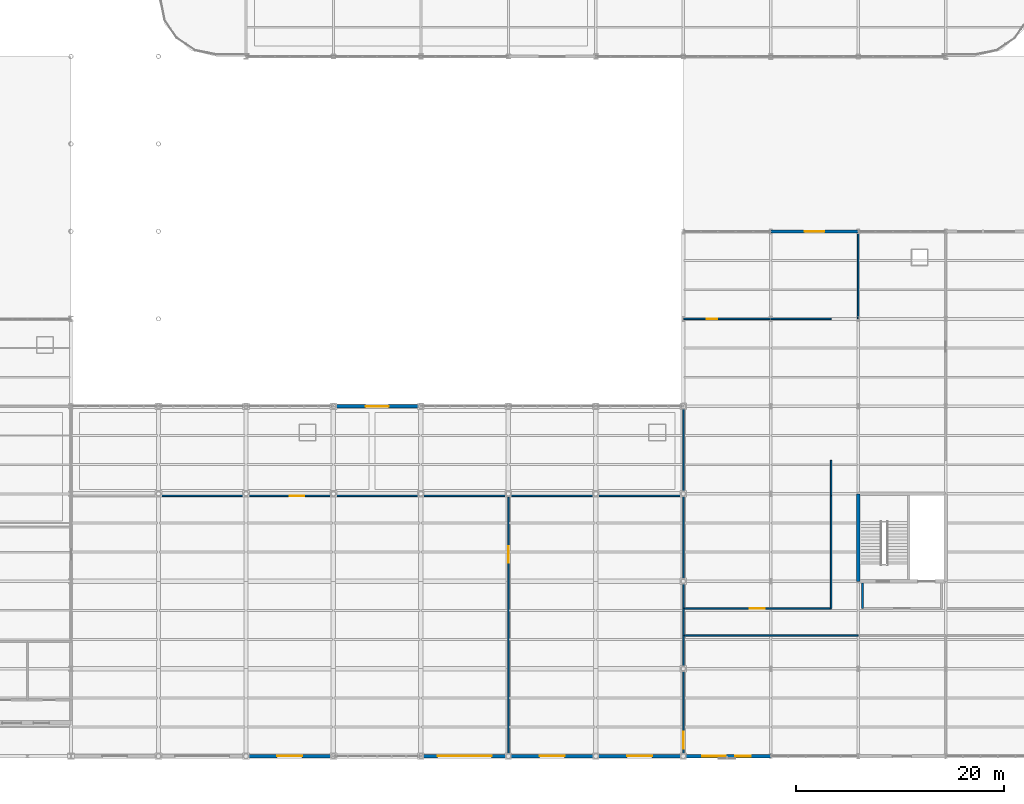
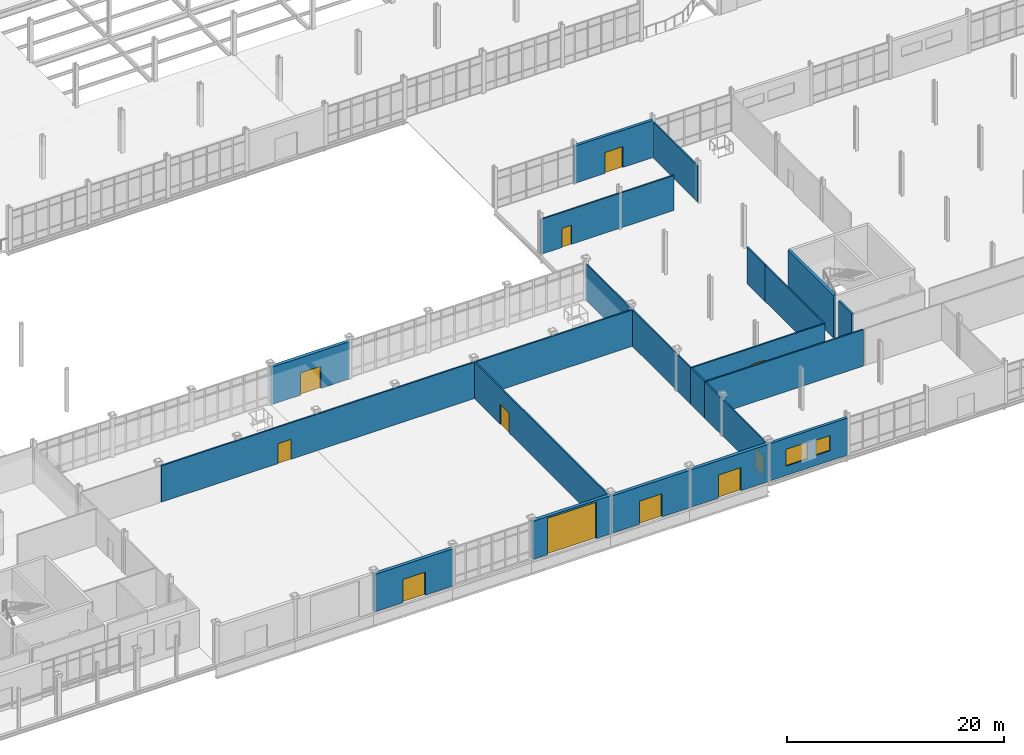
# One storey, part 126 of 145: 22 walls, 11 doors, 2 windows, 13 openings.
"""IFC4 building model written with IfcOpenShell, lengths in metres."""

from ifc_helpers import new_model, si_unit, direction, frame, frame_2d, origin, place, context, subcontext, project, spatial, rectangle, extrude, material, layer, layer_set, type_object, element, fill, save


model = new_model("IFC4")

# Units and contexts
model_context = context("Model", 3, precision=1e-05, world=origin(), true_north=direction((0.0, 1.0)))
body_context = subcontext(model_context, "Body", "Model", "MODEL_VIEW")
ifc_project = project(units=[si_unit("LENGTHUNIT", "METRE"), si_unit("AREAUNIT", "SQUARE_METRE"), si_unit("VOLUMEUNIT", "CUBIC_METRE"), si_unit("PLANEANGLEUNIT", "RADIAN"), si_unit("MASSUNIT", "GRAM", prefix="KILO")], contexts=[model_context])

# Site, building, storey
site_placement = place(None, origin())
site = spatial("IfcSite", under=ifc_project, at=site_placement, CompositionType="ELEMENT")
building_placement = place(site_placement, origin())
building = spatial("IfcBuilding", under=site, at=building_placement, Name="Qalvenar Corner Mobility Hub", CompositionType="ELEMENT")
storey_placement = place(building_placement, origin())
storey = spatial("IfcBuildingStorey", under=building, at=storey_placement, Name="L00", CompositionType="ELEMENT", Elevation=0.0)

# Wall
ifc_material_1 = material(Name="Concrete C40/50", Category="concrete")
ifc_layer_1 = layer(ifc_material_1, 0.300048828125)
ifc_layer_set_1 = layer_set([ifc_layer_1], Name="Concrete C40/50")
wall_type_1 = type_object("IfcWallType", Name="WL-CORE300", PredefinedType="SHEAR", material=ifc_layer_set_1)
wall_1_placement = place(storey_placement, frame((126.0, 25.199951171875, 0.0), z_axis=(0.0, 0.0, 1.0), x_axis=(0.0, -1.0, 0.0)))
element("IfcWall", 1, at=wall_1_placement, inside=storey, type_object=wall_type_1, Name="Core Shear Wall C6-L00-W", PredefinedType="SHEAR", context=body_context, shape_type="SweptSolid", body=[
    extrude(rectangle(XDim=8.39990234375, YDim=0.300048828125, at=frame_2d((4.199951171875, 0.0))), origin(), (0.0, 0.0, 1.0), 4.800048828125),
])

# Wall, openings, windows
ifc_material_2 = material(Name="Lahori Fired Clay Brick Masonry", Category="masonry")
ifc_layer_2 = layer(ifc_material_2, 0.300048828125)
ifc_layer_set_2 = layer_set([ifc_layer_2], Name="Lahori Fired Clay Brick Masonry")
wall_type_2 = type_object("IfcWallType", Name="WL-EXT-BRK300", PredefinedType="STANDARD", material=ifc_layer_set_2)
wall_2_placement = place(storey_placement, frame((109.199951171875, 0.0, 0.0), z_axis=(0.0, 0.0, 1.0), x_axis=(1.0, 0.0, 0.0)))
wall_2 = element("IfcWall", 2, at=wall_2_placement, inside=storey, type_object=wall_type_2, Name="Exterior Facade Wall EW-V6-L00-S0", PredefinedType="STANDARD", context=body_context, shape_type="SweptSolid", body=[
    extrude(rectangle(XDim=8.400146484375, YDim=0.300048828125, at=frame_2d((4.2001953125, 0.0))), origin(), (0.0, 0.0, 1.0), 4.179931640625),
])
opening_1_placement = place(wall_2_placement, frame((1.800048828125, 0.0, 1.050048828125)))
opening_1 = element("IfcOpeningElement", 3, at=opening_1_placement, cuts=wall_2, Name="Opening W-16", PredefinedType="OPENING", context=body_context, shape_type="SweptSolid", body=[
    extrude(rectangle(XDim=2.300048828125, YDim=1.89990234375, at=frame_2d((1.14990234375, 0.949951171875))), frame((0.0, 0.16015625, 0.0), z_axis=(0.0, -1.0, 0.0), x_axis=(1.0, 0.0, 0.0)), (0.0, 0.0, 1.0), 0.320068359375),
])
opening_2_placement = place(wall_2_placement, frame((5.0, 0.0, 1.14990234375)))
opening_2 = element("IfcOpeningElement", 4, at=opening_2_placement, cuts=wall_2, Name="Opening W-18", PredefinedType="OPENING", context=body_context, shape_type="SweptSolid", body=[
    extrude(rectangle(XDim=1.5, YDim=1.699951171875, at=frame_2d((0.75, 0.85009765625))), frame((0.0, 0.16015625, 0.0), z_axis=(0.0, -1.0, 0.0), x_axis=(1.0, 0.0, 0.0)), (0.0, 0.0, 1.0), 0.320068359375),
])
ifc_material_3 = material(Name="Solar-Control Double-Glazed Bronze Window", Category="glass")
window_type_1 = type_object("IfcWindowType", Name="WN-WKS-150X170", PartitioningType="DOUBLE_PANEL_VERTICAL", PredefinedType="WINDOW", material=ifc_material_3)
window_1_placement = place(opening_2_placement, origin())
window_1 = element("IfcWindow", 5, at=window_1_placement, inside=storey, type_object=window_type_1, Name="Facade Window EW-V6-L00-S0-W2", OverallHeight=1.699951171875, OverallWidth=1.5, PartitioningType="SINGLE_PANEL", PredefinedType="WINDOW", context=body_context, shape_type="SweptSolid", body=[
    extrude(rectangle(XDim=1.5, YDim=1.699951171875, at=frame_2d((0.75, 0.85009765625))), frame((0.0, 0.030029296875, 0.0), z_axis=(0.0, -1.0, 0.0), x_axis=(1.0, 0.0, 0.0)), (0.0, 0.0, 1.0), 0.06005859375),
])
fill(opening_2, window_1)
window_type_2 = type_object("IfcWindowType", Name="WN-WKS-230X190", PartitioningType="DOUBLE_PANEL_HORIZONTAL", PredefinedType="WINDOW", material=ifc_material_3)
window_2_placement = place(opening_1_placement, origin())
window_2 = element("IfcWindow", 6, at=window_2_placement, inside=storey, type_object=window_type_2, Name="Facade Window EW-V6-L00-S0-W1", OverallHeight=1.89990234375, OverallWidth=2.300048828125, PartitioningType="SINGLE_PANEL", PredefinedType="WINDOW", context=body_context, shape_type="SweptSolid", body=[
    extrude(rectangle(XDim=2.300048828125, YDim=1.89990234375, at=frame_2d((1.14990234375, 0.949951171875))), frame((0.0, 0.030029296875, 0.0), z_axis=(0.0, -1.0, 0.0), x_axis=(1.0, 0.0, 0.0)), (0.0, 0.0, 1.0), 0.06005859375),
])
fill(opening_1, window_2)

# Wall, opening, door
wall_3_placement = place(storey_placement, frame((126.0, 50.39990234375, 0.0), z_axis=(0.0, 0.0, 1.0), x_axis=(-1.0, 0.0, 0.0)))
wall_3 = element("IfcWall", 7, at=wall_3_placement, inside=storey, type_object=wall_type_2, Name="Exterior Facade Wall EW-V6-L00-N1", PredefinedType="STANDARD", context=body_context, shape_type="SweptSolid", body=[
    extrude(rectangle(XDim=8.39990234375, YDim=0.300048828125, at=frame_2d((4.199951171875, 0.0))), origin(), (0.0, 0.0, 1.0), 4.179931640625),
])
opening_3_placement = place(wall_3_placement, frame((3.25, 0.0, 0.0)))
opening_3 = element("IfcOpeningElement", 8, at=opening_3_placement, cuts=wall_3, Name="Opening DR-064", PredefinedType="OPENING", context=body_context, shape_type="SweptSolid", body=[
    extrude(rectangle(XDim=1.89990234375, YDim=2.35009765625, at=frame_2d((0.949951171875, 1.175048828125))), frame((0.0, 0.16015625, 0.0), z_axis=(0.0, -1.0, 0.0), x_axis=(1.0, 0.0, 0.0)), (0.0, 0.0, 1.0), 0.320068359375),
])
ifc_material_4 = material(Name="Insulated Steel Apron Exit Door", Category="steel")
door_type_1 = type_object("IfcDoorType", Name="DR-EXT-ESC190", OperationType="DOUBLE_DOOR_SINGLE_SWING", PredefinedType="DOOR", material=ifc_material_4)
door_1_placement = place(opening_3_placement, origin())
door_1 = element("IfcDoor", 9, at=door_1_placement, inside=storey, type_object=door_type_1, Name="DR-064 Workshop Apron Pedestrian Exit Door E12", OperationType="DOUBLE_DOOR_SINGLE_SWING", OverallHeight=2.35009765625, OverallWidth=1.89990234375, PredefinedType="DOOR", context=body_context, shape_type="SweptSolid", body=[
    extrude(rectangle(XDim=1.89990234375, YDim=2.35009765625, at=frame_2d((0.949951171875, 1.175048828125))), frame((0.0, 0.02490234375, 0.0), z_axis=(0.0, -1.0, 0.0), x_axis=(1.0, 0.0, 0.0)), (0.0, 0.0, 1.0), 0.050048828125),
])
fill(opening_3, door_1)

ifc_material_5 = material(Name="Red Sandstone Ashlar Masonry", Category="masonry")
ifc_layer_3 = layer(ifc_material_5, 0.360107421875)
ifc_layer_set_3 = layer_set([ifc_layer_3], Name="Red Sandstone Ashlar Masonry")
wall_type_3 = type_object("IfcWallType", Name="WL-EXT-SAND360", PredefinedType="STANDARD", material=ifc_layer_set_3)
wall_4_placement = place(storey_placement, frame((67.199951171875, 0.0, 0.0), z_axis=(0.0, 0.0, 1.0), x_axis=(1.0, 0.0, 0.0)))
wall_4 = element("IfcWall", 10, at=wall_4_placement, inside=storey, type_object=wall_type_3, Name="Exterior Facade Wall EW-V1-S-2", PredefinedType="STANDARD", context=body_context, shape_type="SweptSolid", body=[
    extrude(rectangle(XDim=8.400146484375, YDim=0.360107421875, at=frame_2d((4.2001953125, 0.0))), origin(), (0.0, 0.0, 1.0), 4.199951171875),
])
opening_4_placement = place(wall_4_placement, frame((3.0, 0.0, 0.0)))
opening_4 = element("IfcOpeningElement", 11, at=opening_4_placement, cuts=wall_4, Name="Opening DR-052", PredefinedType="OPENING", context=body_context, shape_type="SweptSolid", body=[
    extrude(rectangle(XDim=2.39990234375, YDim=2.60009765625, at=frame_2d((1.199951171875, 1.300048828125))), frame((0.0, 0.18994140625, 0.0), z_axis=(0.0, -1.0, 0.0), x_axis=(1.0, 0.0, 0.0)), (0.0, 0.0, 1.0), 0.380126953125),
])
ifc_material_6 = material(Name="Bronze-Framed Glazed Entrance Door", Category="aluminium")
door_type_2 = type_object("IfcDoorType", Name="DR-EXT-DBL240", OperationType="DOUBLE_DOOR_SINGLE_SWING", PredefinedType="DOOR", material=ifc_material_6)
door_2_placement = place(opening_4_placement, origin())
door_2 = element("IfcDoor", 12, at=door_2_placement, inside=storey, type_object=door_type_2, Name="DR-052 Concourse Pedestrian Exit Door E13", OperationType="DOUBLE_DOOR_SINGLE_SWING", OverallHeight=2.60009765625, OverallWidth=2.39990234375, PredefinedType="DOOR", context=body_context, shape_type="SweptSolid", body=[
    extrude(rectangle(XDim=2.39990234375, YDim=2.60009765625, at=frame_2d((1.199951171875, 1.300048828125))), frame((0.0, 0.02490234375, 0.0), z_axis=(0.0, -1.0, 0.0), x_axis=(1.0, 0.0, 0.0)), (0.0, 0.0, 1.0), 0.050048828125),
])
fill(opening_4, door_2)

wall_5_placement = place(storey_placement, frame((84.0, 33.60009765625, 0.0), z_axis=(0.0, 0.0, 1.0), x_axis=(-1.0, 0.0, 0.0)))
wall_5 = element("IfcWall", 13, at=wall_5_placement, inside=storey, type_object=wall_type_3, Name="Exterior Facade Wall EW-V1-N-3", PredefinedType="STANDARD", context=body_context, shape_type="SweptSolid", body=[
    extrude(rectangle(XDim=8.39990234375, YDim=0.360107421875, at=frame_2d((4.199951171875, 0.0))), origin(), (0.0, 0.0, 1.0), 4.199951171875),
])
opening_5_placement = place(wall_5_placement, frame((3.10009765625, 0.0, 0.0)))
opening_5 = element("IfcOpeningElement", 14, at=opening_5_placement, cuts=wall_5, Name="Opening DR-053", PredefinedType="OPENING", context=body_context, shape_type="SweptSolid", body=[
    extrude(rectangle(XDim=2.199951171875, YDim=2.5, at=frame_2d((1.10009765625, 1.25))), frame((0.0, 0.18994140625, 0.0), z_axis=(0.0, -1.0, 0.0), x_axis=(1.0, 0.0, 0.0)), (0.0, 0.0, 1.0), 0.380126953125),
])
ifc_material_7 = material(Name="Bronze-Framed Courtyard Exit Door", Category="aluminium")
door_type_3 = type_object("IfcDoorType", Name="DR-EXT-DBL220", OperationType="DOUBLE_DOOR_SINGLE_SWING", PredefinedType="DOOR", material=ifc_material_7)
door_3_placement = place(opening_5_placement, origin())
door_3 = element("IfcDoor", 15, at=door_3_placement, inside=storey, type_object=door_type_3, Name="DR-053 Courtyard Concourse Exit Door E7", OperationType="DOUBLE_DOOR_SINGLE_SWING", OverallHeight=2.5, OverallWidth=2.199951171875, PredefinedType="DOOR", context=body_context, shape_type="SweptSolid", body=[
    extrude(rectangle(XDim=2.199951171875, YDim=2.5, at=frame_2d((1.10009765625, 1.25))), frame((0.0, 0.02490234375, 0.0), z_axis=(0.0, -1.0, 0.0), x_axis=(1.0, 0.0, 0.0)), (0.0, 0.0, 1.0), 0.050048828125),
])
fill(opening_5, door_3)

wall_6_placement = place(storey_placement, frame((84.0, 0.0, 0.0), z_axis=(0.0, 0.0, 1.0), x_axis=(1.0, 0.0, 0.0)))
wall_6 = element("IfcWall", 16, at=wall_6_placement, inside=storey, type_object=wall_type_3, Name="Exterior Facade Wall EW-V1-S-4", PredefinedType="STANDARD", context=body_context, shape_type="SweptSolid", body=[
    extrude(rectangle(XDim=8.39990234375, YDim=0.360107421875, at=frame_2d((4.199951171875, 0.0))), origin(), (0.0, 0.0, 1.0), 4.300048828125),
])
opening_6_placement = place(wall_6_placement, frame((1.60009765625, 0.0, 0.0)))
opening_6 = element("IfcOpeningElement", 17, at=opening_6_placement, cuts=wall_6, Name="Opening DR-054", PredefinedType="OPENING", context=body_context, shape_type="SweptSolid", body=[
    extrude(rectangle(XDim=5.199951171875, YDim=4.10009765625, at=frame_2d((2.60009765625, 2.050048828125))), frame((0.0, 0.18994140625, 0.0), z_axis=(0.0, -1.0, 0.0), x_axis=(1.0, 0.0, 0.0)), (0.0, 0.0, 1.0), 0.380126953125),
])
ifc_material_8 = material(Name="Heavy-Duty Bus Bay Security Shutter Gate", Category="steel")
door_type_4 = type_object("IfcDoorType", Name="GT-BUS-520", OperationType="ROLLINGUP", PredefinedType="GATE", material=ifc_material_8)
door_4_placement = place(opening_6_placement, origin())
door_4 = element("IfcDoor", 18, at=door_4_placement, inside=storey, type_object=door_type_4, Name="DR-054 Bus Apron Portal Gate VG3-4", OperationType="ROLLINGUP", OverallHeight=4.10009765625, OverallWidth=5.199951171875, PredefinedType="GATE", context=body_context, shape_type="SweptSolid", body=[
    extrude(rectangle(XDim=5.199951171875, YDim=4.10009765625, at=frame_2d((2.60009765625, 2.050048828125))), frame((0.0, 0.02490234375, 0.0), z_axis=(0.0, -1.0, 0.0), x_axis=(1.0, 0.0, 0.0)), (0.0, 0.0, 1.0), 0.050048828125),
])
fill(opening_6, door_4)

wall_7_placement = place(storey_placement, frame((92.39990234375, 0.0, 0.0), z_axis=(0.0, 0.0, 1.0), x_axis=(1.0, 0.0, 0.0)))
wall_7 = element("IfcWall", 19, at=wall_7_placement, inside=storey, type_object=wall_type_3, Name="Exterior Facade Wall EW-V1-S-5", PredefinedType="STANDARD", context=body_context, shape_type="SweptSolid", body=[
    extrude(rectangle(XDim=8.400146484375, YDim=0.360107421875, at=frame_2d((4.2001953125, 0.0))), origin(), (0.0, 0.0, 1.0), 4.199951171875),
])
opening_7_placement = place(wall_7_placement, frame((3.0, 0.0, 0.0)))
opening_7 = element("IfcOpeningElement", 20, at=opening_7_placement, cuts=wall_7, Name="Opening DR-055", PredefinedType="OPENING", context=body_context, shape_type="SweptSolid", body=[
    extrude(rectangle(XDim=2.39990234375, YDim=2.60009765625, at=frame_2d((1.199951171875, 1.300048828125))), frame((0.0, 0.18994140625, 0.0), z_axis=(0.0, -1.0, 0.0), x_axis=(1.0, 0.0, 0.0)), (0.0, 0.0, 1.0), 0.380126953125),
])
door_5_placement = place(opening_7_placement, origin())
door_5 = element("IfcDoor", 21, at=door_5_placement, inside=storey, type_object=door_type_2, Name="DR-055 Concourse Pedestrian Exit Door E14", OperationType="DOUBLE_DOOR_SINGLE_SWING", OverallHeight=2.60009765625, OverallWidth=2.39990234375, PredefinedType="DOOR", context=body_context, shape_type="SweptSolid", body=[
    extrude(rectangle(XDim=2.39990234375, YDim=2.60009765625, at=frame_2d((1.199951171875, 1.300048828125))), frame((0.0, 0.02490234375, 0.0), z_axis=(0.0, -1.0, 0.0), x_axis=(1.0, 0.0, 0.0)), (0.0, 0.0, 1.0), 0.050048828125),
])
fill(opening_7, door_5)

wall_8_placement = place(storey_placement, frame((100.800048828125, 0.0, 0.0), z_axis=(0.0, 0.0, 1.0), x_axis=(1.0, 0.0, 0.0)))
wall_8 = element("IfcWall", 22, at=wall_8_placement, inside=storey, type_object=wall_type_3, Name="Exterior Facade Wall EW-V1-S-6", PredefinedType="STANDARD", context=body_context, shape_type="SweptSolid", body=[
    extrude(rectangle(XDim=8.39990234375, YDim=0.360107421875, at=frame_2d((4.199951171875, 0.0))), origin(), (0.0, 0.0, 1.0), 4.199951171875),
])
opening_8_placement = place(wall_8_placement, frame((3.0, 0.0, 0.0)))
opening_8 = element("IfcOpeningElement", 23, at=opening_8_placement, cuts=wall_8, Name="Opening DR-056", PredefinedType="OPENING", context=body_context, shape_type="SweptSolid", body=[
    extrude(rectangle(XDim=2.39990234375, YDim=2.60009765625, at=frame_2d((1.199951171875, 1.300048828125))), frame((0.0, 0.18994140625, 0.0), z_axis=(0.0, -1.0, 0.0), x_axis=(1.0, 0.0, 0.0)), (0.0, 0.0, 1.0), 0.380126953125),
])
door_6_placement = place(opening_8_placement, origin())
door_6 = element("IfcDoor", 24, at=door_6_placement, inside=storey, type_object=door_type_2, Name="DR-056 Concourse Pedestrian Exit Door E6", OperationType="DOUBLE_DOOR_SINGLE_SWING", OverallHeight=2.60009765625, OverallWidth=2.39990234375, PredefinedType="DOOR", context=body_context, shape_type="SweptSolid", body=[
    extrude(rectangle(XDim=2.39990234375, YDim=2.60009765625, at=frame_2d((1.199951171875, 1.300048828125))), frame((0.0, 0.02490234375, 0.0), z_axis=(0.0, -1.0, 0.0), x_axis=(1.0, 0.0, 0.0)), (0.0, 0.0, 1.0), 0.050048828125),
])
fill(opening_8, door_6)

ifc_material_9 = material(Name="Acoustic Gypsum Stud Partition", Category="masonry")
ifc_layer_4 = layer(ifc_material_9, 0.139892578125)
ifc_layer_set_4 = layer_set([ifc_layer_4], Name="Acoustic Gypsum Stud Partition")
wall_type_4 = type_object("IfcWallType", Name="WL-INT140", PredefinedType="PARTITIONING", material=ifc_layer_set_4)
wall_9_placement = place(storey_placement, frame((109.199951171875, 0.18505859375, 0.0), z_axis=(0.0, 0.0, 1.0), x_axis=(0.0, 1.0, 0.0)))
wall_9 = element("IfcWall", 25, at=wall_9_placement, inside=storey, type_object=wall_type_4, Name="Interior Partition PRT-L00-053", PredefinedType="PARTITIONING", context=body_context, shape_type="SweptSolid", body=[
    extrude(rectangle(XDim=11.4150390625, YDim=0.139892578125, at=frame_2d((5.70751953125, 0.0))), origin(), (0.0, 0.0, 1.0), 4.10009765625),
])
opening_9_placement = place(wall_9_placement, frame((0.550048828125, 0.0, 0.0)))
opening_9 = element("IfcOpeningElement", 26, at=opening_9_placement, cuts=wall_9, Name="Opening DR-111", PredefinedType="OPENING", context=body_context, shape_type="SweptSolid", body=[
    extrude(rectangle(XDim=1.60009765625, YDim=2.25, at=frame_2d((0.800048828125, 1.125))), frame((0.0, 0.080078125, 0.0), z_axis=(0.0, -1.0, 0.0), x_axis=(1.0, 0.0, 0.0)), (0.0, 0.0, 1.0), 0.159912109375),
])
ifc_material_10 = material(Name="Compartment Fire Door FD90", Category="steel")
door_type_5 = type_object("IfcDoorType", Name="DR-COMP-160", OperationType="DOUBLE_DOOR_SINGLE_SWING", PredefinedType="DOOR", material=ifc_material_10)
door_7_placement = place(opening_9_placement, origin())
door_7 = element("IfcDoor", 27, at=door_7_placement, inside=storey, type_object=door_type_5, Name="DR-111 Workshop Foreman and Testing Office Link Door", OperationType="DOUBLE_DOOR_SINGLE_SWING", OverallHeight=2.25, OverallWidth=1.60009765625, PredefinedType="DOOR", context=body_context, shape_type="SweptSolid", body=[
    extrude(rectangle(XDim=1.60009765625, YDim=2.25, at=frame_2d((0.800048828125, 1.125))), frame((0.0, 0.02490234375, 0.0), z_axis=(0.0, -1.0, 0.0), x_axis=(1.0, 0.0, 0.0)), (0.0, 0.0, 1.0), 0.050048828125),
])
fill(opening_9, door_7)

# Walls
wall_10_placement = place(storey_placement, frame((109.199951171875, 11.60009765625, 0.0), z_axis=(0.0, 0.0, 1.0), x_axis=(0.0, 1.0, 0.0)))
element("IfcWall", 28, at=wall_10_placement, inside=storey, type_object=wall_type_4, Name="Interior Partition PRT-L00-054", PredefinedType="PARTITIONING", context=body_context, shape_type="SweptSolid", body=[
    extrude(rectangle(XDim=2.599853515625, YDim=0.139892578125, at=frame_2d((1.2998046875, 0.0))), origin(), (0.0, 0.0, 1.0), 4.10009765625),
])
wall_11_placement = place(storey_placement, frame((109.199951171875, 14.199951171875, 0.0), z_axis=(0.0, 0.0, 1.0), x_axis=(0.0, 1.0, 0.0)))
element("IfcWall", 29, at=wall_11_placement, inside=storey, type_object=wall_type_4, Name="Interior Partition PRT-L00-055", PredefinedType="PARTITIONING", context=body_context, shape_type="SweptSolid", body=[
    extrude(rectangle(XDim=10.800048828125, YDim=0.139892578125, at=frame_2d((5.39990234375, 0.0))), origin(), (0.0, 0.0, 1.0), 4.10009765625),
])
wall_12_placement = place(storey_placement, frame((109.199951171875, 25.050048828125, 0.0), z_axis=(0.0, 0.0, 1.0), x_axis=(0.0, 1.0, 0.0)))
element("IfcWall", 30, at=wall_12_placement, inside=storey, type_object=wall_type_4, Name="Interior Partition PRT-L00-056", PredefinedType="PARTITIONING", context=body_context, shape_type="SweptSolid", body=[
    extrude(rectangle(XDim=8.5048828125, YDim=0.139892578125, at=frame_2d((4.25244140625, 0.0))), origin(), (0.0, 0.0, 1.0), 4.10009765625),
])
wall_13_placement = place(storey_placement, frame((123.39990234375, 14.199951171875, 0.0), z_axis=(0.0, 0.0, 1.0), x_axis=(0.0, 1.0, 0.0)))
element("IfcWall", 31, at=wall_13_placement, inside=storey, type_object=wall_type_4, Name="Interior Partition PRT-L00-057", PredefinedType="PARTITIONING", context=body_context, shape_type="SweptSolid", body=[
    extrude(rectangle(XDim=10.800048828125, YDim=0.139892578125, at=frame_2d((5.39990234375, 0.0))), origin(), (0.0, 0.0, 1.0), 4.10009765625),
])
wall_14_placement = place(storey_placement, frame((123.39990234375, 25.050048828125, 0.0), z_axis=(0.0, 0.0, 1.0), x_axis=(0.0, 1.0, 0.0)))
element("IfcWall", 32, at=wall_14_placement, inside=storey, type_object=wall_type_4, Name="Interior Partition PRT-L00-058", PredefinedType="PARTITIONING", context=body_context, shape_type="SweptSolid", body=[
    extrude(rectangle(XDim=3.349853515625, YDim=0.139892578125, at=frame_2d((1.6748046875, 0.0))), origin(), (0.0, 0.0, 1.0), 4.10009765625),
])
wall_15_placement = place(storey_placement, frame((126.0, 42.0, 0.0), z_axis=(0.0, 0.0, 1.0), x_axis=(0.0, 1.0, 0.0)))
element("IfcWall", 33, at=wall_15_placement, inside=storey, type_object=wall_type_4, Name="Interior Partition PRT-L00-059", PredefinedType="PARTITIONING", context=body_context, shape_type="SweptSolid", body=[
    extrude(rectangle(XDim=8.2451171875, YDim=0.139892578125, at=frame_2d((4.12255859375, 0.0))), origin(), (0.0, 0.0, 1.0), 4.050048828125),
])
ifc_material_11 = material(Name="Plastered Clay Brick Partition", Category="masonry")
ifc_layer_5 = layer(ifc_material_11, 0.159912109375)
ifc_layer_set_5 = layer_set([ifc_layer_5], Name="Plastered Clay Brick Partition")
wall_type_5 = type_object("IfcWallType", Name="WL-INT160", PredefinedType="PARTITIONING", material=ifc_layer_set_5)
wall_16_placement = place(storey_placement, frame((109.199951171875, 11.60009765625, 0.0), z_axis=(0.0, 0.0, 1.0), x_axis=(1.0, 0.0, 0.0)))
element("IfcWall", 34, at=wall_16_placement, inside=storey, type_object=wall_type_5, Name="Interior Partition PRT-L00-007", PredefinedType="PARTITIONING", context=body_context, shape_type="SweptSolid", body=[
    extrude(rectangle(XDim=16.800048828125, YDim=0.159912109375, at=frame_2d((8.39990234375, 0.0))), origin(), (0.0, 0.0, 1.0), 4.10009765625),
])

# Wall, opening, door
wall_17_placement = place(storey_placement, frame((109.199951171875, 14.199951171875, 0.0), z_axis=(0.0, 0.0, 1.0), x_axis=(1.0, 0.0, 0.0)))
wall_17 = element("IfcWall", 35, at=wall_17_placement, inside=storey, type_object=wall_type_5, Name="Interior Partition PRT-L00-012", PredefinedType="PARTITIONING", context=body_context, shape_type="SweptSolid", body=[
    extrude(rectangle(XDim=14.199951171875, YDim=0.159912109375, at=frame_2d((7.10009765625, 0.0))), origin(), (0.0, 0.0, 1.0), 4.10009765625),
])
opening_10_placement = place(wall_17_placement, frame((6.39990234375, 0.0, 0.0)))
opening_10 = element("IfcOpeningElement", 36, at=opening_10_placement, cuts=wall_17, Name="Opening DR-093", PredefinedType="OPENING", context=body_context, shape_type="SweptSolid", body=[
    extrude(rectangle(XDim=1.39990234375, YDim=2.25, at=frame_2d((0.699951171875, 1.125))), frame((0.0, 0.08984375, 0.0), z_axis=(0.0, -1.0, 0.0), x_axis=(1.0, 0.0, 0.0)), (0.0, 0.0, 1.0), 0.179931640625),
])
ifc_material_12 = material(Name="Hardwood Teak Acoustic Double Door", Category="wood")
door_type_6 = type_object("IfcDoorType", Name="DR-INT-PUB140", OperationType="DOUBLE_DOOR_SINGLE_SWING", PredefinedType="DOOR", material=ifc_material_12)
door_8_placement = place(opening_10_placement, origin())
door_8 = element("IfcDoor", 37, at=door_8_placement, inside=storey, type_object=door_type_6, Name="DR-093 Fleet EV Repair Workshop Hall Door", OperationType="DOUBLE_DOOR_SINGLE_SWING", OverallHeight=2.25, OverallWidth=1.39990234375, PredefinedType="DOOR", context=body_context, shape_type="SweptSolid", body=[
    extrude(rectangle(XDim=1.39990234375, YDim=2.25, at=frame_2d((0.699951171875, 1.125))), frame((0.0, 0.02490234375, 0.0), z_axis=(0.0, -1.0, 0.0), x_axis=(1.0, 0.0, 0.0)), (0.0, 0.0, 1.0), 0.050048828125),
])
fill(opening_10, door_8)

wall_18_placement = place(storey_placement, frame((59.0, 25.0, 0.0), z_axis=(0.0, 0.0, 1.0), x_axis=(1.0, 0.0, 0.0)))
wall_18 = element("IfcWall", 38, at=wall_18_placement, inside=storey, type_object=wall_type_5, Name="Interior Partition PRT-L00-019", PredefinedType="PARTITIONING", context=body_context, shape_type="SweptSolid", body=[
    extrude(rectangle(XDim=33.39990234375, YDim=0.159912109375, at=frame_2d((16.699951171875, 0.0))), origin(), (0.0, 0.0, 1.0), 4.10009765625),
])
opening_11_placement = place(wall_18_placement, frame((12.419921875, 0.0, 0.0)))
opening_11 = element("IfcOpeningElement", 39, at=opening_11_placement, cuts=wall_18, Name="Opening DR-095", PredefinedType="OPENING", context=body_context, shape_type="SweptSolid", body=[
    extrude(rectangle(XDim=1.39990234375, YDim=2.25, at=frame_2d((0.699951171875, 1.125))), frame((0.0, 0.08984375, 0.0), z_axis=(0.0, -1.0, 0.0), x_axis=(1.0, 0.0, 0.0)), (0.0, 0.0, 1.0), 0.179931640625),
])
door_9_placement = place(opening_11_placement, origin())
door_9 = element("IfcDoor", 40, at=door_9_placement, inside=storey, type_object=door_type_6, Name="DR-095 Air-Conditioned Passenger Waiting Lounge Door", OperationType="DOUBLE_DOOR_SINGLE_SWING", OverallHeight=2.25, OverallWidth=1.39990234375, PredefinedType="DOOR", context=body_context, shape_type="SweptSolid", body=[
    extrude(rectangle(XDim=1.39990234375, YDim=2.25, at=frame_2d((0.699951171875, 1.125))), frame((0.0, 0.02490234375, 0.0), z_axis=(0.0, -1.0, 0.0), x_axis=(1.0, 0.0, 0.0)), (0.0, 0.0, 1.0), 0.050048828125),
])
fill(opening_11, door_9)

# Wall
wall_19_placement = place(storey_placement, frame((92.39990234375, 25.0, 0.0), z_axis=(0.0, 0.0, 1.0), x_axis=(1.0, 0.0, 0.0)))
element("IfcWall", 41, at=wall_19_placement, inside=storey, type_object=wall_type_5, Name="Interior Partition PRT-L00-020", PredefinedType="PARTITIONING", context=body_context, shape_type="SweptSolid", body=[
    extrude(rectangle(XDim=16.800048828125, YDim=0.159912109375, at=frame_2d((8.39990234375, 0.0))), origin(), (0.0, 0.0, 1.0), 4.10009765625),
])

# Wall, opening, door
wall_20_placement = place(storey_placement, frame((109.199951171875, 42.0, 0.0), z_axis=(0.0, 0.0, 1.0), x_axis=(1.0, 0.0, 0.0)))
wall_20 = element("IfcWall", 42, at=wall_20_placement, inside=storey, type_object=wall_type_5, Name="Interior Partition PRT-L00-024", PredefinedType="PARTITIONING", context=body_context, shape_type="SweptSolid", body=[
    extrude(rectangle(XDim=14.199951171875, YDim=0.159912109375, at=frame_2d((7.10009765625, 0.0))), origin(), (0.0, 0.0, 1.0), 3.93994140625),
])
opening_12_placement = place(wall_20_placement, frame((2.27001953125, 0.0, 0.0)))
opening_12 = element("IfcOpeningElement", 43, at=opening_12_placement, cuts=wall_20, Name="Opening DR-098", PredefinedType="OPENING", context=body_context, shape_type="SweptSolid", body=[
    extrude(rectangle(XDim=1.0, YDim=2.14990234375, at=frame_2d((0.5, 1.074951171875))), frame((0.0, 0.08984375, 0.0), z_axis=(0.0, -1.0, 0.0), x_axis=(1.0, 0.0, 0.0)), (0.0, 0.0, 1.0), 0.179931640625),
])
ifc_material_13 = material(Name="Hardwood Teak Office Door FD30", Category="wood")
door_type_7 = type_object("IfcDoorType", Name="DR-INT-OFF100", OperationType="NOTDEFINED", PredefinedType="DOOR", material=ifc_material_13)
door_10_placement = place(opening_12_placement, origin())
door_10 = element("IfcDoor", 44, at=door_10_placement, inside=storey, type_object=door_type_7, Name="DR-098 Fleet Dispatch Reception Door", OperationType="SINGLE_SWING_LEFT", OverallHeight=2.14990234375, OverallWidth=1.0, PredefinedType="DOOR", context=body_context, shape_type="SweptSolid", body=[
    extrude(rectangle(XDim=1.0, YDim=2.14990234375, at=frame_2d((0.5, 1.074951171875))), frame((0.0, 0.02490234375, 0.0), z_axis=(0.0, -1.0, 0.0), x_axis=(1.0, 0.0, 0.0)), (0.0, 0.0, 1.0), 0.050048828125),
])
fill(opening_12, door_10)

wall_21_placement = place(storey_placement, frame((92.39990234375, 0.18505859375, 0.0), z_axis=(0.0, 0.0, 1.0), x_axis=(0.0, 1.0, 0.0)))
wall_21 = element("IfcWall", 45, at=wall_21_placement, inside=storey, type_object=wall_type_5, Name="Interior Partition PRT-L00-052", PredefinedType="PARTITIONING", context=body_context, shape_type="SweptSolid", body=[
    extrude(rectangle(XDim=24.81494140625, YDim=0.159912109375, at=frame_2d((12.407470703125, 0.0))), origin(), (0.0, 0.0, 1.0), 4.10009765625),
])
opening_13_placement = place(wall_21_placement, frame((18.3701171875, 0.0, 0.0)))
opening_13 = element("IfcOpeningElement", 46, at=opening_13_placement, cuts=wall_21, Name="Opening DR-110", PredefinedType="OPENING", context=body_context, shape_type="SweptSolid", body=[
    extrude(rectangle(XDim=1.60009765625, YDim=2.25, at=frame_2d((0.800048828125, 1.125))), frame((0.0, 0.08984375, 0.0), z_axis=(0.0, -1.0, 0.0), x_axis=(1.0, 0.0, 0.0)), (0.0, 0.0, 1.0), 0.179931640625),
])
door_11_placement = place(opening_13_placement, origin())
door_11 = element("IfcDoor", 47, at=door_11_placement, inside=storey, type_object=door_type_5, Name="DR-110 Taxi Pick-Up Deck and Drop-Off Conco Link Door", OperationType="DOUBLE_DOOR_SINGLE_SWING", OverallHeight=2.25, OverallWidth=1.60009765625, PredefinedType="DOOR", context=body_context, shape_type="SweptSolid", body=[
    extrude(rectangle(XDim=1.60009765625, YDim=2.25, at=frame_2d((0.800048828125, 1.125))), frame((0.0, 0.02490234375, 0.0), z_axis=(0.0, -1.0, 0.0), x_axis=(1.0, 0.0, 0.0)), (0.0, 0.0, 1.0), 0.050048828125),
])
fill(opening_13, door_11)

# Wall
ifc_material_14 = material(Name="Concrete Blockwork Masonry", Category="masonry")
ifc_layer_6 = layer(ifc_material_14, 0.199951171875)
ifc_layer_set_6 = layer_set([ifc_layer_6], Name="Concrete Blockwork Masonry")
wall_type_6 = type_object("IfcWallType", Name="WL-LOBBY200", PredefinedType="PARTITIONING", material=ifc_layer_set_6)
wall_22_placement = place(storey_placement, frame((126.39990234375, 14.199951171875, 0.0), z_axis=(0.0, 0.0, 1.0), x_axis=(0.0, 1.0, 0.0)))
element("IfcWall", 48, at=wall_22_placement, inside=storey, type_object=wall_type_6, Name="Interior Partition WL-LOB-C6-L00-W", PredefinedType="PARTITIONING", context=body_context, shape_type="SweptSolid", body=[
    extrude(rectangle(XDim=2.449951171875, YDim=0.199951171875, at=frame_2d((1.22509765625, 0.0))), origin(), (0.0, 0.0, 1.0), 4.1201171875),
])

save(model, "model.ifc")
